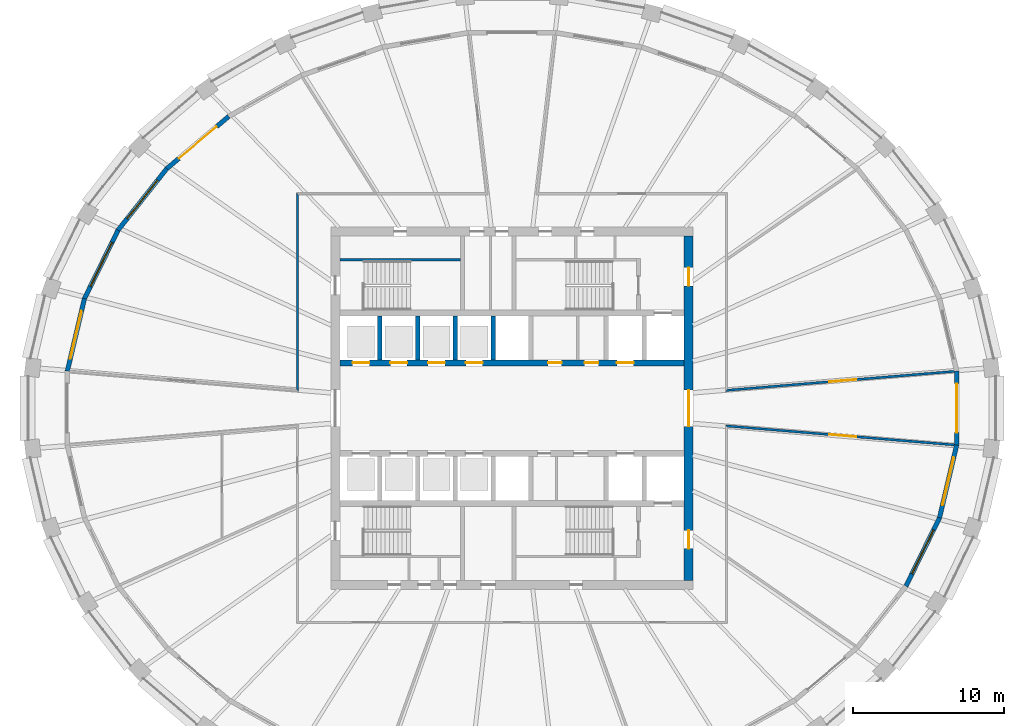
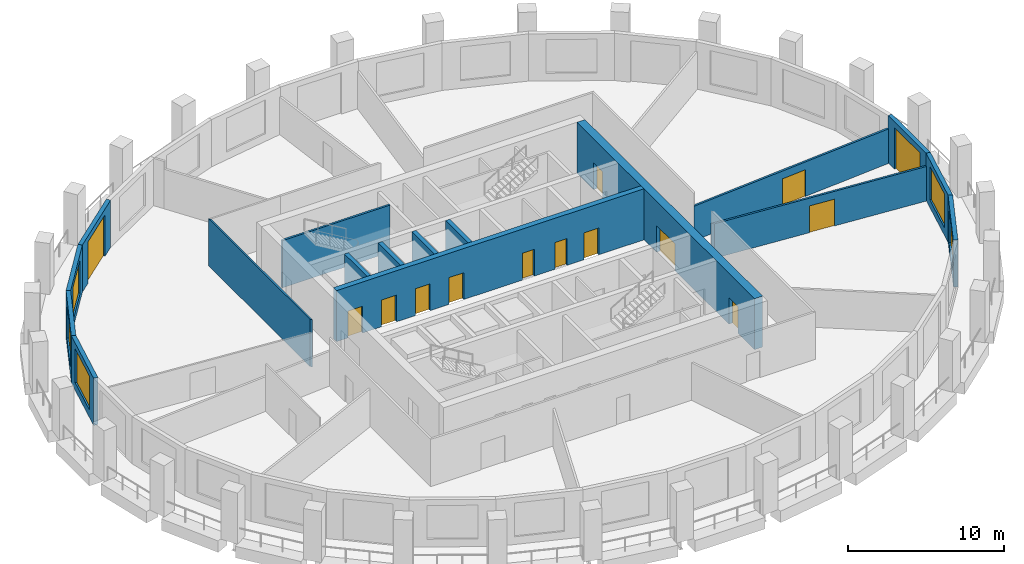
# One storey, part 5 of 10: 17 walls, 14 doors, 5 windows, 19 openings.
"""IFC4 building model written with IfcOpenShell, lengths in metres."""

import ifcopenshell
import ifcopenshell.guid

model = None  # the IFC model being written
_history = None  # IfcOwnerHistory: only IFC2X3 demands one
_inside = {}  # id of a spatial element -> (the spatial element, [elements in it])
_under = {}  # id of a project, library or spatial element -> (it, [spatial elements below it])
_declared = {}  # id of a project -> (the project, [libraries it declares])
_typed = {}  # id of a type object -> (the type object, [elements of that type])
_made_of = {}  # id of a material, layer set ... -> (it, [elements and type objects made of it])


def new_model(schema):
    """Start an empty IFC model of exactly this schema.

    Asked for "IFC4X3", IfcOpenShell would pick the latest addendum, in which some entities
    have other attributes; the version numbers below select the first issue.
    IFC2X3 requires an IfcOwnerHistory on every rooted entity: one is made here for all.
    """
    global model, _history
    if schema == "IFC4X3":
        model = ifcopenshell.file(schema_version=(4, 3, 0, 0))
    else:
        model = ifcopenshell.file(schema=schema)
    _inside.clear()
    _under.clear()
    _declared.clear()
    _typed.clear()
    _made_of.clear()
    _history = None
    if model.schema == "IFC2X3":
        org = make("IfcOrganization", Name="unknown")
        user = make(
            "IfcPersonAndOrganization",
            ThePerson=make("IfcPerson", FamilyName="unknown"),
            TheOrganization=org,
        )
        app = make(
            "IfcApplication",
            ApplicationDeveloper=org,
            Version="unknown",
            ApplicationFullName="unknown",
            ApplicationIdentifier="unknown",
        )
        _history = make(
            "IfcOwnerHistory",
            OwningUser=user,
            OwningApplication=app,
            ChangeAction="ADDED",
            CreationDate=0,
        )
    return model


def make(cls, **values):
    """One entity of the class cls with the attributes given. An attribute that is None is left unset."""
    return model.create_entity(
        cls, **{name: value for name, value in values.items() if value is not None}
    )


def rooted(cls, **values):
    """An entity with a GlobalId (a new one), such as an element, a storey or a relation."""
    return make(cls, GlobalId=ifcopenshell.guid.new(), OwnerHistory=_history, **values)


def si_unit(unit_type, name, prefix=None):
    """IfcSIUnit, for example si_unit("LENGTHUNIT", "METRE", prefix="MILLI")."""
    return make("IfcSIUnit", UnitType=unit_type, Prefix=prefix, Name=name)


def assignment(units):
    """IfcUnitAssignment: the units of a project."""
    return None if units is None else make("IfcUnitAssignment", Units=units)


def point(xyz):
    """IfcCartesianPoint."""
    return None if xyz is None else make("IfcCartesianPoint", Coordinates=xyz)


def direction(xyz):
    """IfcDirection."""
    return None if xyz is None else make("IfcDirection", DirectionRatios=xyz)


def frame(location, z_axis=None, x_axis=None):
    """IfcAxis2Placement3D, a coordinate frame: its origin and axes. An axis left out is left unset."""
    return make(
        "IfcAxis2Placement3D",
        Location=point(location),
        Axis=direction(z_axis),
        RefDirection=direction(x_axis),
    )


def frame_2d(location, x_axis=None):
    """IfcAxis2Placement2D, a coordinate frame in the plane: its origin and x axis."""
    return make(
        "IfcAxis2Placement2D", Location=point(location), RefDirection=direction(x_axis)
    )


def origin():
    """The frame at (0, 0, 0) with its axes left unset."""
    return frame((0.0, 0.0, 0.0))


def place(relative_to, where):
    """IfcLocalPlacement: puts the frame where relative to a parent placement (None: the world)."""
    return make(
        "IfcLocalPlacement", PlacementRelTo=relative_to, RelativePlacement=where
    )


def context(
    kind, dimensions, precision=None, world=None, true_north=None, identifier=None
):
    """IfcGeometricRepresentationContext, for example the 3D "Model" context."""
    return make(
        "IfcGeometricRepresentationContext",
        ContextIdentifier=identifier,
        ContextType=kind,
        CoordinateSpaceDimension=dimensions,
        Precision=precision,
        WorldCoordinateSystem=world,
        TrueNorth=true_north,
    )


def subcontext(parent, identifier, kind, view, scale=None):
    """IfcGeometricRepresentationSubContext, for example "Body" below "Model"."""
    return make(
        "IfcGeometricRepresentationSubContext",
        ContextIdentifier=identifier,
        ContextType=kind,
        ParentContext=parent,
        TargetScale=scale,
        TargetView=view,
    )


def project(units=None, contexts=None):
    """IfcProject with its units and contexts."""
    return rooted(
        "IfcProject",
        Name="project",
        RepresentationContexts=contexts,
        UnitsInContext=assignment(units),
    )


def spatial(cls, under=None, at=None, **own):
    """A site, building, storey or space (cls), placed at a placement, below another one or the project."""
    s = rooted(cls, ObjectPlacement=at, **own)
    if under is not None:
        _under.setdefault(under.id(), (under, []))[1].append(s)
    return s


def polyline(points):
    """IfcPolyline through the points."""
    return make("IfcPolyline", Points=[point(p) for p in points])


def profile(cls, at=None, kind="AREA", **sizes):
    """A parametric profile (cls). Its sizes go by their IFC names, for example OverallWidth=200.0."""
    return make(cls, ProfileType=kind, Position=at, **sizes)


def rectangle(**sizes):
    """IfcRectangleProfileDef."""
    return profile("IfcRectangleProfileDef", **sizes)


def outline(outer, holes=None, kind="AREA"):
    """IfcArbitraryClosedProfileDef: a profile drawn as a closed curve; with holes, ...WithVoids."""
    if holes is None:
        return make("IfcArbitraryClosedProfileDef", ProfileType=kind, OuterCurve=outer)
    return make(
        "IfcArbitraryProfileDefWithVoids",
        ProfileType=kind,
        OuterCurve=outer,
        InnerCurves=holes,
    )


def extrude(swept, where, along, depth):
    """IfcExtrudedAreaSolid: the profile swept, set in the frame where, extruded along a direction by depth."""
    return make(
        "IfcExtrudedAreaSolid",
        SweptArea=swept,
        Position=where,
        ExtrudedDirection=direction(along),
        Depth=depth,
    )


def shape(context_of_items, identifier, shape_type, items):
    """IfcShapeRepresentation: the items that make up one representation, for example the "Body"."""
    return make(
        "IfcShapeRepresentation",
        ContextOfItems=context_of_items,
        RepresentationIdentifier=identifier,
        RepresentationType=shape_type,
        Items=items,
    )


def material(Name=None, Category=None):
    """IfcMaterial."""
    return make("IfcMaterial", Name=Name, Category=Category)


def layer(
    of_material, thickness, ventilated=None, Name=None, Category=None, Priority=None
):
    """IfcMaterialLayer: one layer of a wall or slab, of a material (None: an air gap)."""
    return make(
        "IfcMaterialLayer",
        Material=of_material,
        LayerThickness=thickness,
        IsVentilated=ventilated,
        Name=Name,
        Category=Category,
        Priority=Priority,
    )


def layer_set(layers, Name=None):
    """IfcMaterialLayerSet."""
    return make("IfcMaterialLayerSet", MaterialLayers=layers, LayerSetName=Name)


def made_of(thing, what):
    """Note that an element or type object is made of a material, layer set ...; save() writes the relation."""
    if what is not None:
        _made_of.setdefault(what.id(), (what, []))[1].append(thing)
    return thing


def type_object(cls, material=None, **own):
    """A type object (cls), such as IfcWallType, which elements share."""
    return made_of(rooted(cls, **own), material)


def element(
    cls,
    number,
    at=None,
    inside=None,
    cuts=None,
    type_object=None,
    material=None,
    context=None,
    identifier="Body",
    shape_type=None,
    held_by="IfcProductDefinitionShape",
    body=None,
    shapes=None,
    **own,
):
    """One element of the class cls, such as IfcWall. Its Tag is "e" and its number.

    at: its placement. inside: the storey or other place that contains it. cuts: it is an
    opening in that element (IfcRelVoidsElement). A single representation is given by context,
    identifier, shape_type and body (its items); several are given by shapes. held_by: the class
    of the entity that holds the representations. save() writes the other relations.
    """
    e = rooted(cls, Tag="e%d" % number, ObjectPlacement=at, **own)
    if body is not None:
        shapes = [shape(context, identifier, shape_type, body)]
    if shapes is not None:
        e.Representation = make(held_by, Representations=shapes)
    if inside is not None:
        _inside.setdefault(inside.id(), (inside, []))[1].append(e)
    if cuts is not None:
        rooted(
            "IfcRelVoidsElement", RelatingBuildingElement=cuts, RelatedOpeningElement=e
        )
    if type_object is not None:
        _typed.setdefault(type_object.id(), (type_object, []))[1].append(e)
    return made_of(e, material)


def fill(opening, filler):
    """IfcRelFillsElement: the door or window that sits in an opening."""
    return rooted(
        "IfcRelFillsElement",
        RelatingOpeningElement=opening,
        RelatedBuildingElement=filler,
    )


def aggregate(whole, parts):
    """IfcRelAggregates: a whole, such as a stair, and the parts it consists of."""
    return rooted("IfcRelAggregates", RelatingObject=whole, RelatedObjects=parts)


def save(model, path):
    """Write the relations noted so far, then the file.

    IfcRelAggregates (storeys below a building ...), IfcRelContainedInSpatialStructure (elements
    in a storey), IfcRelDefinesByType, IfcRelAssociatesMaterial and IfcRelDeclares: one each for
    every whole, place, type object, material and project.
    """
    for whole, parts in _under.values():
        aggregate(whole, parts)
    for where, things in _inside.values():
        rooted(
            "IfcRelContainedInSpatialStructure",
            RelatedElements=things,
            RelatingStructure=where,
        )
    for kind, things in _typed.values():
        rooted("IfcRelDefinesByType", RelatedObjects=things, RelatingType=kind)
    for what, things in _made_of.values():
        rooted("IfcRelAssociatesMaterial", RelatedObjects=things, RelatingMaterial=what)
    for by, libraries in _declared.values():
        rooted("IfcRelDeclares", RelatingContext=by, RelatedDefinitions=libraries)
    model.write(path)


model = new_model("IFC4")

# Units and contexts
model_context = context("Model", 3, precision=1e-05, world=origin(), true_north=direction((0.0, 1.0)))
body_context = subcontext(model_context, "Body", "Model", "MODEL_VIEW")
ifc_project = project(units=[si_unit("LENGTHUNIT", "METRE"), si_unit("AREAUNIT", "SQUARE_METRE"), si_unit("VOLUMEUNIT", "CUBIC_METRE"), si_unit("PLANEANGLEUNIT", "RADIAN"), si_unit("MASSUNIT", "GRAM", prefix="KILO")], contexts=[model_context])

# Site, building, storey
site_placement = place(None, origin())
site = spatial("IfcSite", under=ifc_project, at=site_placement, CompositionType="ELEMENT")
building_placement = place(site_placement, origin())
building = spatial("IfcBuilding", under=site, at=building_placement, Name="Halqa Exchange Tower", CompositionType="ELEMENT")
storey_placement = place(building_placement, frame((0.0, 0.0, 210.89990234375)))
storey = spatial("IfcBuildingStorey", under=building, at=storey_placement, Name="L48", CompositionType="ELEMENT", Elevation=210.89990234375)

# Wall, opening, door
ifc_material_1 = material(Name="Fire-rated gypsum board")
ifc_layer_1 = layer(ifc_material_1, 0.14990234375)
ifc_layer_set_1 = layer_set([ifc_layer_1], Name="Fire-rated gypsum board")
wall_type_1 = type_object("IfcWallType", Name="Fire partition EI 60 150", PredefinedType="PARTITIONING", material=ifc_layer_set_1)
wall_1_placement = place(storey_placement, frame((14.118896484375, 1.173095703125, 0.0), z_axis=(0.0, 0.0, 1.0), x_axis=(0.996562771728, 0.082841064731, 0.0)))
wall_1 = element("IfcWall", 1, at=wall_1_placement, inside=storey, type_object=wall_type_1, Name="L48-PWL-019", PredefinedType="PARTITIONING", context=body_context, shape_type="SweptSolid", body=[
    extrude(outline(polyline([(15.2216796875, -0.074951171875), (15.2216796875, 0.044677734375), (15.217041015625, 0.074951171875), (13.33544921875, 0.074951171875), (11.45361328125, 0.074951171875), (9.57177734375, 0.074951171875), (7.68994140625, 0.074951171875), (5.80810546875, 0.074951171875), (3.92626953125, 0.074951171875), (2.04443359375, 0.074951171875), (0.16259765625, 0.074951171875), (0.081298828125, 0.000244140625), (0.0, -0.07470703125), (0.0, -0.074951171875), (1.90283203125, -0.074951171875), (3.805419921875, -0.074951171875), (5.7080078125, -0.074951171875), (7.61083984375, -0.074951171875), (9.513671875, -0.074951171875), (11.416259765625, -0.074951171875), (13.31884765625, -0.074951171875), (15.2216796875, -0.074951171875)])), origin(), (0.0, 0.0, 1.0), 2.710205078125),
])
opening_1_placement = place(wall_1_placement, frame((6.907958984375, 0.0, 0.0)))
opening_1 = element("IfcOpeningElement", 2, at=opening_1_placement, cuts=wall_1, Name="Opening 14-08", PredefinedType="OPENING", context=body_context, shape_type="SweptSolid", body=[
    extrude(rectangle(XDim=1.800048828125, YDim=2.10009765625, at=frame_2d((0.89990234375, 1.050048828125))), frame((0.0, 0.0869140625, 0.0), z_axis=(0.0, -1.0, 0.0), x_axis=(1.0, 0.0, 0.0)), (0.0, 0.0, 1.0), 0.173828125),
])
ifc_material_2 = material(Name="Steel fire door leaf", Category="steel")
door_type_1 = type_object("IfcDoorType", Name="Fire door FD30S double 1800 x 2100", OperationType="DOUBLE_DOOR_SINGLE_SWING", PredefinedType="DOOR", material=ifc_material_2)
door_1_placement = place(opening_1_placement, origin())
door_1 = element("IfcDoor", 3, at=door_1_placement, inside=storey, type_object=door_type_1, Name="L48-IDR-008", OperationType="DOUBLE_DOOR_SINGLE_SWING", OverallHeight=2.10009765625, OverallWidth=1.800048828125, PredefinedType="DOOR", context=body_context, shape_type="SweptSolid", body=[
    extrude(rectangle(XDim=1.800048828125, YDim=2.10009765625, at=frame_2d((0.89990234375, 1.050048828125))), frame((0.0, 0.02490234375, 0.0), z_axis=(0.0, -1.0, 0.0), x_axis=(1.0, 0.0, 0.0)), (0.0, 0.0, 1.0), 0.050048828125),
])
fill(opening_1, door_1)

wall_2_placement = place(storey_placement, frame((29.288330078125, -2.43408203125, 0.0), z_axis=(0.0, 0.0, 1.0), x_axis=(-0.996562771728, 0.082841064731, 0.0)))
wall_2 = element("IfcWall", 4, at=wall_2_placement, inside=storey, type_object=wall_type_1, Name="L48-PWL-021", PredefinedType="PARTITIONING", context=body_context, shape_type="SweptSolid", body=[
    extrude(outline(polyline([(15.2216796875, -0.074951171875), (15.2216796875, -0.07470703125), (15.140380859375, 0.000244140625), (15.05908203125, 0.074951171875), (13.17724609375, 0.074951171875), (11.29541015625, 0.074951171875), (9.41357421875, 0.074951171875), (7.53173828125, 0.074951171875), (5.650146484375, 0.074951171875), (3.768310546875, 0.074951171875), (1.886474609375, 0.074951171875), (0.004638671875, 0.074951171875), (0.0, 0.044189453125), (0.0, -0.074951171875), (1.90283203125, -0.074951171875), (3.805419921875, -0.074951171875), (5.7080078125, -0.074951171875), (7.61083984375, -0.074951171875), (9.513671875, -0.074951171875), (11.416259765625, -0.074951171875), (13.31884765625, -0.074951171875), (15.2216796875, -0.074951171875)])), origin(), (0.0, 0.0, 1.0), 2.710205078125),
])
opening_2_placement = place(wall_2_placement, frame((6.513916015625, 0.0, 0.0)))
opening_2 = element("IfcOpeningElement", 5, at=opening_2_placement, cuts=wall_2, Name="Opening 14-07", PredefinedType="OPENING", context=body_context, shape_type="SweptSolid", body=[
    extrude(rectangle(XDim=1.800048828125, YDim=2.10009765625, at=frame_2d((0.89990234375, 1.050048828125))), frame((0.0, 0.0869140625, 0.0), z_axis=(0.0, -1.0, 0.0), x_axis=(1.0, 0.0, 0.0)), (0.0, 0.0, 1.0), 0.173828125),
])
door_2_placement = place(opening_2_placement, origin())
door_2 = element("IfcDoor", 6, at=door_2_placement, inside=storey, type_object=door_type_1, Name="L48-IDR-007", OperationType="DOUBLE_DOOR_SINGLE_SWING", OverallHeight=2.10009765625, OverallWidth=1.800048828125, PredefinedType="DOOR", context=body_context, shape_type="SweptSolid", body=[
    extrude(rectangle(XDim=1.800048828125, YDim=2.10009765625, at=frame_2d((0.89990234375, 1.050048828125))), frame((0.0, 0.02490234375, 0.0), z_axis=(0.0, -1.0, 0.0), x_axis=(1.0, 0.0, 0.0)), (0.0, 0.0, 1.0), 0.050048828125),
])
fill(opening_2, door_2)

# Walls
ifc_material_3 = material(Name="Fire-rated glazing", Category="glass")
ifc_layer_2 = layer(ifc_material_3, 0.1201171875)
ifc_layer_set_2 = layer_set([ifc_layer_2], Name="Fire-rated glazing")
wall_type_2 = type_object("IfcWallType", Name="Glazed fire partition EI 60 120", PredefinedType="PARTITIONING", material=ifc_layer_set_2)
wall_3_placement = place(storey_placement, frame((-14.199951171875, 1.11474609375, 0.0), z_axis=(0.0, 0.0, 1.0), x_axis=(0.0, 1.0, 0.0)))
element("IfcWall", 7, at=wall_3_placement, inside=storey, type_object=wall_type_2, Name="L48-PWL-007", PredefinedType="PARTITIONING", context=body_context, shape_type="SweptSolid", body=[
    extrude(outline(polyline([(0.0, -0.06005859375), (1.86083984375, -0.06005859375), (3.721435546875, -0.06005859375), (5.582275390625, -0.06005859375), (7.44287109375, -0.06005859375), (9.3037109375, -0.06005859375), (11.164306640625, -0.06005859375), (13.025146484375, -0.06005859375), (13.145263671875, 0.06005859375), (11.285888671875, 0.06005859375), (9.4267578125, 0.06005859375), (7.5673828125, 0.06005859375), (5.708251953125, 0.06005859375), (3.848876953125, 0.06005859375), (1.98974609375, 0.06005859375), (0.13037109375, 0.06005859375), (0.0, -0.06005859375), (0.0, -0.06005859375)])), origin(), (0.0, 0.0, 1.0), 3.7001953125),
])
ifc_material_4 = material(Name="Concrete C60/75", Category="concrete")
ifc_layer_3 = layer(ifc_material_4, 0.300048828125)
ifc_layer_set_3 = layer_set([ifc_layer_3], Name="Concrete C60/75")
wall_type_3 = type_object("IfcWallType", Name="RC core wall 300", PredefinedType="SHEAR", material=ifc_layer_set_3)
for number, where, z_axis, x_axis, name in (
    (8, (-8.75, 3.199951171875, 0.0), (0.0, 0.0, 1.0), (0.0, 1.0, 0.0), "Shaft divider N1"),
    (9, (-6.25, 3.199951171875, 0.0), (0.0, 0.0, 1.0), (0.0, 1.0, 0.0), "Shaft divider N2"),
    (10, (-3.75, 3.199951171875, 0.0), (0.0, 0.0, 1.0), (0.0, 1.0, 0.0), "Shaft divider N3"),
    (11, (-1.25, 3.199951171875, 0.0), (0.0, 0.0, 1.0), (0.0, 1.0, 0.0), "Shaft divider N4"),
):
    element("IfcWall", number, at=place(storey_placement, frame(where, z_axis=z_axis, x_axis=x_axis)), inside=storey, type_object=wall_type_3, Name=name, PredefinedType="SHEAR", context=body_context, shape_type="SweptSolid", body=[
        extrude(rectangle(XDim=2.900146484375, YDim=0.300048828125, at=frame_2d((1.4501953125, 0.0))), origin(), (0.0, 0.0, 1.0), 4.0),
    ])

# Wall, openings, doors
ifc_material_5 = material(Name="Concrete C70/85", Category="concrete")
ifc_layer_4 = layer(ifc_material_5, 0.39990234375)
ifc_layer_set_4 = layer_set([ifc_layer_4], Name="Concrete C70/85")
wall_type_4 = type_object("IfcWallType", Name="RC core wall 400 C70/85", PredefinedType="SHEAR", material=ifc_layer_set_4)
wall_4_placement = place(storey_placement, frame((-11.39990234375, 3.0, 0.0), z_axis=(0.0, 0.0, 1.0), x_axis=(1.0, 0.0, 0.0)))
wall_4 = element("IfcWall", 12, at=wall_4_placement, inside=storey, type_object=wall_type_4, Name="Lift row front wall N", PredefinedType="SHEAR", context=body_context, shape_type="SweptSolid", body=[
    extrude(rectangle(XDim=22.7998046875, YDim=0.39990234375, at=frame_2d((11.39990234375, 0.0))), origin(), (0.0, 0.0, 1.0), 4.0),
])
opening_3_placement = place(wall_4_placement, frame((0.85009765625, 0.0, 0.0)))
opening_3 = element("IfcOpeningElement", 13, at=opening_3_placement, cuts=wall_4, Name="Opening LD-HR1-T14", PredefinedType="OPENING", context=body_context, shape_type="SweptSolid", body=[
    extrude(rectangle(XDim=1.10009765625, YDim=2.10009765625, at=frame_2d((0.550048828125, 1.050048828125))), frame((0.0, 0.2119140625, 0.0), z_axis=(0.0, -1.0, 0.0), x_axis=(1.0, 0.0, 0.0)), (0.0, 0.0, 1.0), 0.423828125),
])
opening_4_placement = place(wall_4_placement, frame((3.35009765625, 0.0, 0.0)))
opening_4 = element("IfcOpeningElement", 14, at=opening_4_placement, cuts=wall_4, Name="Opening LD-HR2-T14", PredefinedType="OPENING", context=body_context, shape_type="SweptSolid", body=[
    extrude(rectangle(XDim=1.10009765625, YDim=2.10009765625, at=frame_2d((0.550048828125, 1.050048828125))), frame((0.0, 0.2119140625, 0.0), z_axis=(0.0, -1.0, 0.0), x_axis=(1.0, 0.0, 0.0)), (0.0, 0.0, 1.0), 0.423828125),
])
opening_5_placement = place(wall_4_placement, frame((5.85009765625, 0.0, 0.0)))
opening_5 = element("IfcOpeningElement", 15, at=opening_5_placement, cuts=wall_4, Name="Opening LD-MR1-T14", PredefinedType="OPENING", context=body_context, shape_type="SweptSolid", body=[
    extrude(rectangle(XDim=1.10009765625, YDim=2.10009765625, at=frame_2d((0.550048828125, 1.050048828125))), frame((0.0, 0.2119140625, 0.0), z_axis=(0.0, -1.0, 0.0), x_axis=(1.0, 0.0, 0.0)), (0.0, 0.0, 1.0), 0.423828125),
])
opening_6_placement = place(wall_4_placement, frame((8.35009765625, 0.0, 0.0)))
opening_6 = element("IfcOpeningElement", 16, at=opening_6_placement, cuts=wall_4, Name="Opening LD-MR2-T14", PredefinedType="OPENING", context=body_context, shape_type="SweptSolid", body=[
    extrude(rectangle(XDim=1.10009765625, YDim=2.10009765625, at=frame_2d((0.550048828125, 1.050048828125))), frame((0.0, 0.2119140625, 0.0), z_axis=(0.0, -1.0, 0.0), x_axis=(1.0, 0.0, 0.0)), (0.0, 0.0, 1.0), 0.423828125),
])
opening_7_placement = place(wall_4_placement, frame((18.35009765625, 0.0, 0.0)))
opening_7 = element("IfcOpeningElement", 17, at=opening_7_placement, cuts=wall_4, Name="Opening LD-SV1-T14", PredefinedType="OPENING", context=body_context, shape_type="SweptSolid", body=[
    extrude(rectangle(XDim=1.10009765625, YDim=2.10009765625, at=frame_2d((0.550048828125, 1.050048828125))), frame((0.0, 0.2119140625, 0.0), z_axis=(0.0, -1.0, 0.0), x_axis=(1.0, 0.0, 0.0)), (0.0, 0.0, 1.0), 0.423828125),
])
opening_8_placement = place(wall_4_placement, frame((13.78759765625, 0.0, 0.0)))
opening_8 = element("IfcOpeningElement", 18, at=opening_8_placement, cuts=wall_4, Name="Opening T14-C31", PredefinedType="OPENING", context=body_context, shape_type="SweptSolid", body=[
    extrude(rectangle(XDim=0.89990234375, YDim=2.10009765625, at=frame_2d((0.449951171875, 1.050048828125))), frame((0.0, 0.2119140625, 0.0), z_axis=(0.0, -1.0, 0.0), x_axis=(1.0, 0.0, 0.0)), (0.0, 0.0, 1.0), 0.423828125),
])
opening_9_placement = place(wall_4_placement, frame((16.21240234375, 0.0, 0.0)))
opening_9 = element("IfcOpeningElement", 19, at=opening_9_placement, cuts=wall_4, Name="Opening T14-C32", PredefinedType="OPENING", context=body_context, shape_type="SweptSolid", body=[
    extrude(rectangle(XDim=0.89990234375, YDim=2.10009765625, at=frame_2d((0.449951171875, 1.050048828125))), frame((0.0, 0.2119140625, 0.0), z_axis=(0.0, -1.0, 0.0), x_axis=(1.0, 0.0, 0.0)), (0.0, 0.0, 1.0), 0.423828125),
])
ifc_material_6 = material(Name="Timber fire door leaf", Category="wood")
door_type_2 = type_object("IfcDoorType", Name="Core room door FD30 900 x 2100", OperationType="SINGLE_SWING_LEFT", PredefinedType="DOOR", material=ifc_material_6)
door_3_placement = place(opening_8_placement, origin())
door_3 = element("IfcDoor", 20, at=door_3_placement, inside=storey, type_object=door_type_2, Name="Core room door", OperationType="SINGLE_SWING_RIGHT", OverallHeight=2.10009765625, OverallWidth=0.89990234375, PredefinedType="DOOR", context=body_context, shape_type="SweptSolid", body=[
    extrude(rectangle(XDim=0.89990234375, YDim=2.10009765625, at=frame_2d((0.449951171875, 1.050048828125))), frame((0.0, 0.02490234375, 0.0), z_axis=(0.0, -1.0, 0.0), x_axis=(1.0, 0.0, 0.0)), (0.0, 0.0, 1.0), 0.050048828125),
])
fill(opening_8, door_3)
door_4_placement = place(opening_9_placement, origin())
door_4 = element("IfcDoor", 21, at=door_4_placement, inside=storey, type_object=door_type_2, Name="Core room door", OperationType="SINGLE_SWING_RIGHT", OverallHeight=2.10009765625, OverallWidth=0.89990234375, PredefinedType="DOOR", context=body_context, shape_type="SweptSolid", body=[
    extrude(rectangle(XDim=0.89990234375, YDim=2.10009765625, at=frame_2d((0.449951171875, 1.050048828125))), frame((0.0, 0.02490234375, 0.0), z_axis=(0.0, -1.0, 0.0), x_axis=(1.0, 0.0, 0.0)), (0.0, 0.0, 1.0), 0.050048828125),
])
fill(opening_9, door_4)
ifc_material_7 = material(Name="Stainless steel", Category="steel")
door_type_3 = type_object("IfcDoorType", Name="Lift landing door 1100 x 2100", OperationType="SLIDING_TO_LEFT", PredefinedType="DOOR", material=ifc_material_7)
door_5_placement = place(opening_3_placement, origin())
door_5 = element("IfcDoor", 22, at=door_5_placement, inside=storey, type_object=door_type_3, Name="Lift landing door HR1", OperationType="SLIDING_TO_LEFT", OverallHeight=2.10009765625, OverallWidth=1.10009765625, PredefinedType="DOOR", context=body_context, shape_type="SweptSolid", body=[
    extrude(rectangle(XDim=1.10009765625, YDim=2.10009765625, at=frame_2d((0.550048828125, 1.050048828125))), frame((0.0, 0.02490234375, 0.0), z_axis=(0.0, -1.0, 0.0), x_axis=(1.0, 0.0, 0.0)), (0.0, 0.0, 1.0), 0.050048828125),
])
fill(opening_3, door_5)
door_6_placement = place(opening_4_placement, origin())
door_6 = element("IfcDoor", 23, at=door_6_placement, inside=storey, type_object=door_type_3, Name="Lift landing door HR2", OperationType="SLIDING_TO_LEFT", OverallHeight=2.10009765625, OverallWidth=1.10009765625, PredefinedType="DOOR", context=body_context, shape_type="SweptSolid", body=[
    extrude(rectangle(XDim=1.10009765625, YDim=2.10009765625, at=frame_2d((0.550048828125, 1.050048828125))), frame((0.0, 0.02490234375, 0.0), z_axis=(0.0, -1.0, 0.0), x_axis=(1.0, 0.0, 0.0)), (0.0, 0.0, 1.0), 0.050048828125),
])
fill(opening_4, door_6)
door_7_placement = place(opening_5_placement, origin())
door_7 = element("IfcDoor", 24, at=door_7_placement, inside=storey, type_object=door_type_3, Name="Lift landing door MR1", OperationType="SLIDING_TO_LEFT", OverallHeight=2.10009765625, OverallWidth=1.10009765625, PredefinedType="DOOR", context=body_context, shape_type="SweptSolid", body=[
    extrude(rectangle(XDim=1.10009765625, YDim=2.10009765625, at=frame_2d((0.550048828125, 1.050048828125))), frame((0.0, 0.02490234375, 0.0), z_axis=(0.0, -1.0, 0.0), x_axis=(1.0, 0.0, 0.0)), (0.0, 0.0, 1.0), 0.050048828125),
])
fill(opening_5, door_7)
door_8_placement = place(opening_6_placement, origin())
door_8 = element("IfcDoor", 25, at=door_8_placement, inside=storey, type_object=door_type_3, Name="Lift landing door MR2", OperationType="SLIDING_TO_LEFT", OverallHeight=2.10009765625, OverallWidth=1.10009765625, PredefinedType="DOOR", context=body_context, shape_type="SweptSolid", body=[
    extrude(rectangle(XDim=1.10009765625, YDim=2.10009765625, at=frame_2d((0.550048828125, 1.050048828125))), frame((0.0, 0.02490234375, 0.0), z_axis=(0.0, -1.0, 0.0), x_axis=(1.0, 0.0, 0.0)), (0.0, 0.0, 1.0), 0.050048828125),
])
fill(opening_6, door_8)
door_9_placement = place(opening_7_placement, origin())
door_9 = element("IfcDoor", 26, at=door_9_placement, inside=storey, type_object=door_type_3, Name="Lift landing door SV1", OperationType="SLIDING_TO_LEFT", OverallHeight=2.10009765625, OverallWidth=1.10009765625, PredefinedType="DOOR", context=body_context, shape_type="SweptSolid", body=[
    extrude(rectangle(XDim=1.10009765625, YDim=2.10009765625, at=frame_2d((0.550048828125, 1.050048828125))), frame((0.0, 0.02490234375, 0.0), z_axis=(0.0, -1.0, 0.0), x_axis=(1.0, 0.0, 0.0)), (0.0, 0.0, 1.0), 0.050048828125),
])
fill(opening_7, door_9)

ifc_layer_5 = layer(ifc_material_5, 0.60009765625)
ifc_layer_set_5 = layer_set([ifc_layer_5], Name="Concrete C70/85")
wall_type_5 = type_object("IfcWallType", Name="RC core wall 600 C70/85", PredefinedType="SHEAR", material=ifc_layer_set_5)
wall_5_placement = place(storey_placement, frame((11.699951171875, -11.39990234375, 0.0), z_axis=(0.0, 0.0, 1.0), x_axis=(0.0, 1.0, 0.0)))
wall_5 = element("IfcWall", 27, at=wall_5_placement, inside=storey, type_object=wall_type_5, Name="Core wall east", PredefinedType="SHEAR", context=body_context, shape_type="SweptSolid", body=[
    extrude(rectangle(XDim=22.7998046875, YDim=0.60009765625, at=frame_2d((11.39990234375, 0.0))), origin(), (0.0, 0.0, 1.0), 4.0),
])
opening_10_placement = place(wall_5_placement, frame((10.199951171875, 0.0, 0.0)))
opening_10 = element("IfcOpeningElement", 28, at=opening_10_placement, cuts=wall_5, Name="Opening T14-C14", PredefinedType="OPENING", context=body_context, shape_type="SweptSolid", body=[
    extrude(rectangle(XDim=2.39990234375, YDim=2.10009765625, at=frame_2d((1.199951171875, 1.050048828125))), frame((0.0, 0.31201171875, 0.0), z_axis=(0.0, -1.0, 0.0), x_axis=(1.0, 0.0, 0.0)), (0.0, 0.0, 1.0), 0.6240234375),
])
opening_11_placement = place(wall_5_placement, frame((19.5, 0.0, 0.0)))
opening_11 = element("IfcOpeningElement", 29, at=opening_11_placement, cuts=wall_5, Name="Opening T14-C19", PredefinedType="OPENING", context=body_context, shape_type="SweptSolid", body=[
    extrude(rectangle(XDim=1.199951171875, YDim=2.10009765625, at=frame_2d((0.60009765625, 1.050048828125))), frame((0.0, 0.31201171875, 0.0), z_axis=(0.0, -1.0, 0.0), x_axis=(1.0, 0.0, 0.0)), (0.0, 0.0, 1.0), 0.6240234375),
])
opening_12_placement = place(wall_5_placement, frame((2.10009765625, 0.0, 0.0)))
opening_12 = element("IfcOpeningElement", 30, at=opening_12_placement, cuts=wall_5, Name="Opening T14-C20", PredefinedType="OPENING", context=body_context, shape_type="SweptSolid", body=[
    extrude(rectangle(XDim=1.199951171875, YDim=2.10009765625, at=frame_2d((0.60009765625, 1.050048828125))), frame((0.0, 0.31201171875, 0.0), z_axis=(0.0, -1.0, 0.0), x_axis=(1.0, 0.0, 0.0)), (0.0, 0.0, 1.0), 0.6240234375),
])
door_type_4 = type_object("IfcDoorType", Name="Firefighting lobby door FD90 1200 x 2100", OperationType="SINGLE_SWING_RIGHT", PredefinedType="DOOR", material=ifc_material_2)
door_10_placement = place(opening_11_placement, origin())
door_10 = element("IfcDoor", 31, at=door_10_placement, inside=storey, type_object=door_type_4, Name="Firefighting lobby door", OperationType="SINGLE_SWING_RIGHT", OverallHeight=2.10009765625, OverallWidth=1.199951171875, PredefinedType="DOOR", context=body_context, shape_type="SweptSolid", body=[
    extrude(rectangle(XDim=1.199951171875, YDim=2.10009765625, at=frame_2d((0.60009765625, 1.050048828125))), frame((0.0, 0.02490234375, 0.0), z_axis=(0.0, -1.0, 0.0), x_axis=(1.0, 0.0, 0.0)), (0.0, 0.0, 1.0), 0.050048828125),
])
fill(opening_11, door_10)
door_11_placement = place(opening_12_placement, origin())
door_11 = element("IfcDoor", 32, at=door_11_placement, inside=storey, type_object=door_type_4, Name="Firefighting lobby door", OperationType="SINGLE_SWING_LEFT", OverallHeight=2.10009765625, OverallWidth=1.199951171875, PredefinedType="DOOR", context=body_context, shape_type="SweptSolid", body=[
    extrude(rectangle(XDim=1.199951171875, YDim=2.10009765625, at=frame_2d((0.60009765625, 1.050048828125))), frame((0.0, 0.02490234375, 0.0), z_axis=(0.0, -1.0, 0.0), x_axis=(1.0, 0.0, 0.0)), (0.0, 0.0, 1.0), 0.050048828125),
])
fill(opening_12, door_11)
door_type_5 = type_object("IfcDoorType", Name="Lobby double door FD60 2400 x 2100", OperationType="DOUBLE_DOOR_SINGLE_SWING", PredefinedType="DOOR", material=ifc_material_2)
door_12_placement = place(opening_10_placement, origin())
door_12 = element("IfcDoor", 33, at=door_12_placement, inside=storey, type_object=door_type_5, Name="Lift lobby double door", OperationType="DOUBLE_DOOR_SINGLE_SWING", OverallHeight=2.10009765625, OverallWidth=2.39990234375, PredefinedType="DOOR", context=body_context, shape_type="SweptSolid", body=[
    extrude(rectangle(XDim=2.39990234375, YDim=2.10009765625, at=frame_2d((1.199951171875, 1.050048828125))), frame((0.0, 0.02490234375, 0.0), z_axis=(0.0, -1.0, 0.0), x_axis=(1.0, 0.0, 0.0)), (0.0, 0.0, 1.0), 0.050048828125),
])
fill(opening_10, door_12)

# Wall
ifc_material_8 = material(Name="Concrete C30/37", Category="concrete")
ifc_layer_6 = layer(ifc_material_8, 0.14990234375)
ifc_layer_set_6 = layer_set([ifc_layer_6], Name="Concrete C30/37")
wall_type_6 = type_object("IfcWallType", Name="RC stair wall 150 C30/37", PredefinedType="SHEAR", material=ifc_layer_set_6)
wall_6_placement = place(storey_placement, frame((-11.39990234375, 9.824951171875, 0.0), z_axis=(0.0, 0.0, 1.0), x_axis=(1.0, 0.0, 0.0)))
element("IfcWall", 34, at=wall_6_placement, inside=storey, type_object=wall_type_6, Name="Stair ST1 north wall N", PredefinedType="SHEAR", context=body_context, shape_type="SweptSolid", body=[
    extrude(rectangle(XDim=8.0, YDim=0.14990234375, at=frame_2d((4.0, 0.0))), origin(), (0.0, 0.0, 1.0), 3.7001953125),
])

# Wall, opening, door
ifc_material_9 = material(Name="Limestone cladding", Category="masonry")
ifc_layer_7 = layer(ifc_material_9, 0.0400390625)
ifc_material_10 = material(Name="Ventilated cavity")
ifc_layer_8 = layer(ifc_material_10, 0.030029296875, ventilated=True)
ifc_material_11 = material(Name="Mineral wool insulation")
ifc_layer_9 = layer(ifc_material_11, 0.10009765625)
ifc_layer_10 = layer(ifc_material_8, 0.10009765625)
ifc_material_12 = material(Name="Internal plaster")
ifc_layer_11 = layer(ifc_material_12, 0.030029296875)
ifc_layer_set_7 = layer_set([ifc_layer_7, ifc_layer_8, ifc_layer_9, ifc_layer_10, ifc_layer_11], Name="Stone-faced insulated wall 300")
wall_type_7 = type_object("IfcWallType", Name="Stone-faced insulated wall 300", PredefinedType="STANDARD", material=ifc_layer_set_7)
wall_7_placement = place(storey_placement, frame((-18.760498046875, 19.318603515625, 0.0), z_axis=(0.0, 0.0, 1.0), x_axis=(-0.764386053229, -0.6447588399, 0.0)))
wall_7 = element("IfcWall", 35, at=wall_7_placement, inside=storey, type_object=wall_type_7, Name="Glass-line wall 12", PredefinedType="STANDARD", context=body_context, shape_type="SweptSolid", body=[
    extrude(outline(polyline([(-0.01416015625, -0.14990234375), (5.382568359375, -0.14990234375), (5.352294921875, 0.14990234375), (0.01416015625, 0.14990234375), (-0.01416015625, -0.14990234375)])), origin(), (0.0, 0.0, 1.0), 3.7001953125),
])
opening_13_placement = place(wall_7_placement, frame((1.058837890625, 0.0, 0.0)))
opening_13 = element("IfcOpeningElement", 36, at=opening_13_placement, cuts=wall_7, Name="Opening LG-F3-03", PredefinedType="OPENING", context=body_context, shape_type="SweptSolid", body=[
    extrude(rectangle(XDim=3.25, YDim=3.25, at=frame_2d((1.625, 1.625))), frame((0.0, 0.162109375, 0.0), z_axis=(0.0, -1.0, 0.0), x_axis=(1.0, 0.0, 0.0)), (0.0, 0.0, 1.0), 0.323974609375),
])
ifc_material_13 = material(Name="Clear low-emissivity glass in aluminium frame", Category="aluminium")
door_type_6 = type_object("IfcDoorType", Name="Glazed sliding loggia door 3250 x 3250", OperationType="DOUBLE_DOOR_SLIDING", PredefinedType="DOOR", material=ifc_material_13)
door_13_placement = place(opening_13_placement, origin())
door_13 = element("IfcDoor", 37, at=door_13_placement, inside=storey, type_object=door_type_6, Name="Loggia door 3", OperationType="DOUBLE_DOOR_SLIDING", OverallHeight=3.25, OverallWidth=3.25, PredefinedType="DOOR", context=body_context, shape_type="SweptSolid", body=[
    extrude(rectangle(XDim=3.25, YDim=3.25, at=frame_2d((1.625, 1.625))), frame((0.0, 0.02490234375, 0.0), z_axis=(0.0, -1.0, 0.0), x_axis=(1.0, 0.0, 0.0)), (0.0, 0.0, 1.0), 0.050048828125),
])
fill(opening_13, door_13)

# Wall, opening, window
wall_8_placement = place(storey_placement, frame((-22.86328125, 15.85791015625, 0.0), z_axis=(0.0, 0.0, 1.0), x_axis=(-0.620870264345, -0.783913333763, 0.0)))
wall_8 = element("IfcWall", 38, at=wall_8_placement, inside=storey, type_object=wall_type_7, Name="Glass-line wall 13", PredefinedType="STANDARD", context=body_context, shape_type="SweptSolid", body=[
    extrude(outline(polyline([(-0.01513671875, -0.14990234375), (5.210693359375, -0.14990234375), (5.178466796875, 0.14990234375), (0.01513671875, 0.14990234375), (-0.01513671875, -0.14990234375)])), origin(), (0.0, 0.0, 1.0), 3.7001953125),
])
opening_14_placement = place(wall_8_placement, frame((0.97216796875, 0.0, 0.60009765625)))
opening_14 = element("IfcOpeningElement", 39, at=opening_14_placement, cuts=wall_8, Name="Opening W-F3-13", PredefinedType="OPENING", context=body_context, shape_type="SweptSolid", body=[
    extrude(rectangle(XDim=3.25, YDim=2.64990234375, at=frame_2d((1.625, 1.324951171875))), frame((0.0, 0.162109375, 0.0), z_axis=(0.0, -1.0, 0.0), x_axis=(1.0, 0.0, 0.0)), (0.0, 0.0, 1.0), 0.323974609375),
])
window_type = type_object("IfcWindowType", Name="Fixed clear glazed window 3250 x 2650", PartitioningType="TRIPLE_PANEL_VERTICAL", PredefinedType="WINDOW", material=ifc_material_13)
window_1_placement = place(opening_14_placement, origin())
window_1 = element("IfcWindow", 40, at=window_1_placement, inside=storey, type_object=window_type, Name="Window 3", OverallHeight=2.64990234375, OverallWidth=3.25, PartitioningType="TRIPLE_PANEL_VERTICAL", PredefinedType="WINDOW", context=body_context, shape_type="SweptSolid", body=[
    extrude(rectangle(XDim=3.25, YDim=2.64990234375, at=frame_2d((1.625, 1.324951171875))), frame((0.0, 0.030029296875, 0.0), z_axis=(0.0, -1.0, 0.0), x_axis=(1.0, 0.0, 0.0)), (0.0, 0.0, 1.0), 0.06005859375),
])
fill(opening_14, window_1)

wall_9_placement = place(storey_placement, frame((-26.08837890625, 11.785888671875, 0.0), z_axis=(0.0, 0.0, 1.0), x_axis=(-0.440773193145, -0.89761851151, 0.0)))
wall_9 = element("IfcWall", 41, at=wall_9_placement, inside=storey, type_object=wall_type_7, Name="Glass-line wall 14", PredefinedType="STANDARD", context=body_context, shape_type="SweptSolid", body=[
    extrude(outline(polyline([(-0.01611328125, -0.14990234375), (5.06005859375, -0.14990234375), (5.0263671875, 0.14990234375), (0.01611328125, 0.14990234375), (-0.01611328125, -0.14990234375)])), origin(), (0.0, 0.0, 1.0), 3.7001953125),
])
opening_15_placement = place(wall_9_placement, frame((0.896484375, 0.0, 0.60009765625)))
opening_15 = element("IfcOpeningElement", 42, at=opening_15_placement, cuts=wall_9, Name="Opening W-F3-14", PredefinedType="OPENING", context=body_context, shape_type="SweptSolid", body=[
    extrude(rectangle(XDim=3.25, YDim=2.64990234375, at=frame_2d((1.625, 1.324951171875))), frame((0.0, 0.162109375, 0.0), z_axis=(0.0, -1.0, 0.0), x_axis=(1.0, 0.0, 0.0)), (0.0, 0.0, 1.0), 0.323974609375),
])
window_2_placement = place(opening_15_placement, origin())
window_2 = element("IfcWindow", 43, at=window_2_placement, inside=storey, type_object=window_type, Name="Window 3", OverallHeight=2.64990234375, OverallWidth=3.25, PartitioningType="TRIPLE_PANEL_VERTICAL", PredefinedType="WINDOW", context=body_context, shape_type="SweptSolid", body=[
    extrude(rectangle(XDim=3.25, YDim=2.64990234375, at=frame_2d((1.625, 1.324951171875))), frame((0.0, 0.030029296875, 0.0), z_axis=(0.0, -1.0, 0.0), x_axis=(1.0, 0.0, 0.0)), (0.0, 0.0, 1.0), 0.06005859375),
])
fill(opening_15, window_2)

wall_10_placement = place(storey_placement, frame((-28.311279296875, 7.259033203125, 0.0), z_axis=(0.0, 0.0, 1.0), x_axis=(-0.229535186351, -0.973300363828, 0.0)))
wall_10 = element("IfcWall", 44, at=wall_10_placement, inside=storey, type_object=wall_type_7, Name="Glass-line wall 15", PredefinedType="STANDARD", context=body_context, shape_type="SweptSolid", body=[
    extrude(outline(polyline([(-0.016845703125, -0.14990234375), (4.956787109375, -0.14990234375), (4.922119140625, 0.14990234375), (0.016845703125, 0.14990234375), (-0.016845703125, -0.14990234375)])), origin(), (0.0, 0.0, 1.0), 3.7001953125),
])
opening_16_placement = place(wall_10_placement, frame((0.8447265625, 0.0, 0.60009765625)))
opening_16 = element("IfcOpeningElement", 45, at=opening_16_placement, cuts=wall_10, Name="Opening W-F3-15", PredefinedType="OPENING", context=body_context, shape_type="SweptSolid", body=[
    extrude(rectangle(XDim=3.25, YDim=2.64990234375, at=frame_2d((1.625, 1.324951171875))), frame((0.0, 0.162109375, 0.0), z_axis=(0.0, -1.0, 0.0), x_axis=(1.0, 0.0, 0.0)), (0.0, 0.0, 1.0), 0.323974609375),
])
window_3_placement = place(opening_16_placement, origin())
window_3 = element("IfcWindow", 46, at=window_3_placement, inside=storey, type_object=window_type, Name="Window 3", OverallHeight=2.64990234375, OverallWidth=3.25, PartitioningType="TRIPLE_PANEL_VERTICAL", PredefinedType="WINDOW", context=body_context, shape_type="SweptSolid", body=[
    extrude(rectangle(XDim=3.25, YDim=2.64990234375, at=frame_2d((1.625, 1.324951171875))), frame((0.0, 0.030029296875, 0.0), z_axis=(0.0, -1.0, 0.0), x_axis=(1.0, 0.0, 0.0)), (0.0, 0.0, 1.0), 0.06005859375),
])
fill(opening_16, window_3)

wall_11_placement = place(storey_placement, frame((26.08837890625, -11.785888671875, 0.0), z_axis=(0.0, 0.0, 1.0), x_axis=(0.440773193145, 0.89761851151, 0.0)))
wall_11 = element("IfcWall", 47, at=wall_11_placement, inside=storey, type_object=wall_type_7, Name="Glass-line wall 30", PredefinedType="STANDARD", context=body_context, shape_type="SweptSolid", body=[
    extrude(outline(polyline([(-0.01611328125, -0.14990234375), (5.06005859375, -0.14990234375), (5.0263671875, 0.14990234375), (0.01611328125, 0.14990234375), (-0.01611328125, -0.14990234375)])), origin(), (0.0, 0.0, 1.0), 3.7001953125),
])
opening_17_placement = place(wall_11_placement, frame((0.896484375, 0.0, 0.60009765625)))
opening_17 = element("IfcOpeningElement", 48, at=opening_17_placement, cuts=wall_11, Name="Opening W-F3-30", PredefinedType="OPENING", context=body_context, shape_type="SweptSolid", body=[
    extrude(rectangle(XDim=3.25, YDim=2.64990234375, at=frame_2d((1.625, 1.324951171875))), frame((0.0, 0.162109375, 0.0), z_axis=(0.0, -1.0, 0.0), x_axis=(1.0, 0.0, 0.0)), (0.0, 0.0, 1.0), 0.323974609375),
])
window_4_placement = place(opening_17_placement, origin())
window_4 = element("IfcWindow", 49, at=window_4_placement, inside=storey, type_object=window_type, Name="Window 3", OverallHeight=2.64990234375, OverallWidth=3.25, PartitioningType="TRIPLE_PANEL_VERTICAL", PredefinedType="WINDOW", context=body_context, shape_type="SweptSolid", body=[
    extrude(rectangle(XDim=3.25, YDim=2.64990234375, at=frame_2d((1.625, 1.324951171875))), frame((0.0, 0.030029296875, 0.0), z_axis=(0.0, -1.0, 0.0), x_axis=(1.0, 0.0, 0.0)), (0.0, 0.0, 1.0), 0.06005859375),
])
fill(opening_17, window_4)

wall_12_placement = place(storey_placement, frame((28.311279296875, -7.259033203125, 0.0), z_axis=(0.0, 0.0, 1.0), x_axis=(0.229535186351, 0.973300363828, 0.0)))
wall_12 = element("IfcWall", 50, at=wall_12_placement, inside=storey, type_object=wall_type_7, Name="Glass-line wall 31", PredefinedType="STANDARD", context=body_context, shape_type="SweptSolid", body=[
    extrude(outline(polyline([(-0.016845703125, -0.14990234375), (4.956787109375, -0.14990234375), (4.922119140625, 0.14990234375), (0.016845703125, 0.14990234375), (-0.016845703125, -0.14990234375)])), origin(), (0.0, 0.0, 1.0), 3.7001953125),
])
opening_18_placement = place(wall_12_placement, frame((0.8447265625, 0.0, 0.60009765625)))
opening_18 = element("IfcOpeningElement", 51, at=opening_18_placement, cuts=wall_12, Name="Opening W-F3-31", PredefinedType="OPENING", context=body_context, shape_type="SweptSolid", body=[
    extrude(rectangle(XDim=3.25, YDim=2.64990234375, at=frame_2d((1.625, 1.324951171875))), frame((0.0, 0.162109375, 0.0), z_axis=(0.0, -1.0, 0.0), x_axis=(1.0, 0.0, 0.0)), (0.0, 0.0, 1.0), 0.323974609375),
])
window_5_placement = place(opening_18_placement, origin())
window_5 = element("IfcWindow", 52, at=window_5_placement, inside=storey, type_object=window_type, Name="Window 3", OverallHeight=2.64990234375, OverallWidth=3.25, PartitioningType="TRIPLE_PANEL_VERTICAL", PredefinedType="WINDOW", context=body_context, shape_type="SweptSolid", body=[
    extrude(rectangle(XDim=3.25, YDim=2.64990234375, at=frame_2d((1.625, 1.324951171875))), frame((0.0, 0.030029296875, 0.0), z_axis=(0.0, -1.0, 0.0), x_axis=(1.0, 0.0, 0.0)), (0.0, 0.0, 1.0), 0.06005859375),
])
fill(opening_18, window_5)

# Wall, opening, door
wall_13_placement = place(storey_placement, frame((29.445068359375, -2.451416015625, 0.0), z_axis=(0.0, 0.0, 1.0), x_axis=(0.0, 1.0, 0.0)))
wall_13 = element("IfcWall", 53, at=wall_13_placement, inside=storey, type_object=wall_type_7, Name="Glass-line wall 32", PredefinedType="STANDARD", context=body_context, shape_type="SweptSolid", body=[
    extrude(outline(polyline([(-0.017333984375, -0.14990234375), (4.920166015625, -0.14990234375), (4.885498046875, 0.14990234375), (0.017333984375, 0.14990234375), (-0.017333984375, -0.14990234375)])), origin(), (0.0, 0.0, 1.0), 3.7001953125),
])
opening_19_placement = place(wall_13_placement, frame((0.826416015625, 0.0, 0.0)))
opening_19 = element("IfcOpeningElement", 54, at=opening_19_placement, cuts=wall_13, Name="Opening LG-F3-08", PredefinedType="OPENING", context=body_context, shape_type="SweptSolid", body=[
    extrude(rectangle(XDim=3.25, YDim=3.25, at=frame_2d((1.625, 1.625))), frame((0.0, 0.162109375, 0.0), z_axis=(0.0, -1.0, 0.0), x_axis=(1.0, 0.0, 0.0)), (0.0, 0.0, 1.0), 0.323974609375),
])
door_14_placement = place(opening_19_placement, origin())
door_14 = element("IfcDoor", 55, at=door_14_placement, inside=storey, type_object=door_type_6, Name="Loggia door 8", OperationType="DOUBLE_DOOR_SLIDING", OverallHeight=3.25, OverallWidth=3.25, PredefinedType="DOOR", context=body_context, shape_type="SweptSolid", body=[
    extrude(rectangle(XDim=3.25, YDim=3.25, at=frame_2d((1.625, 1.625))), frame((0.0, 0.02490234375, 0.0), z_axis=(0.0, -1.0, 0.0), x_axis=(1.0, 0.0, 0.0)), (0.0, 0.0, 1.0), 0.050048828125),
])
fill(opening_19, door_14)

save(model, "model.ifc")
